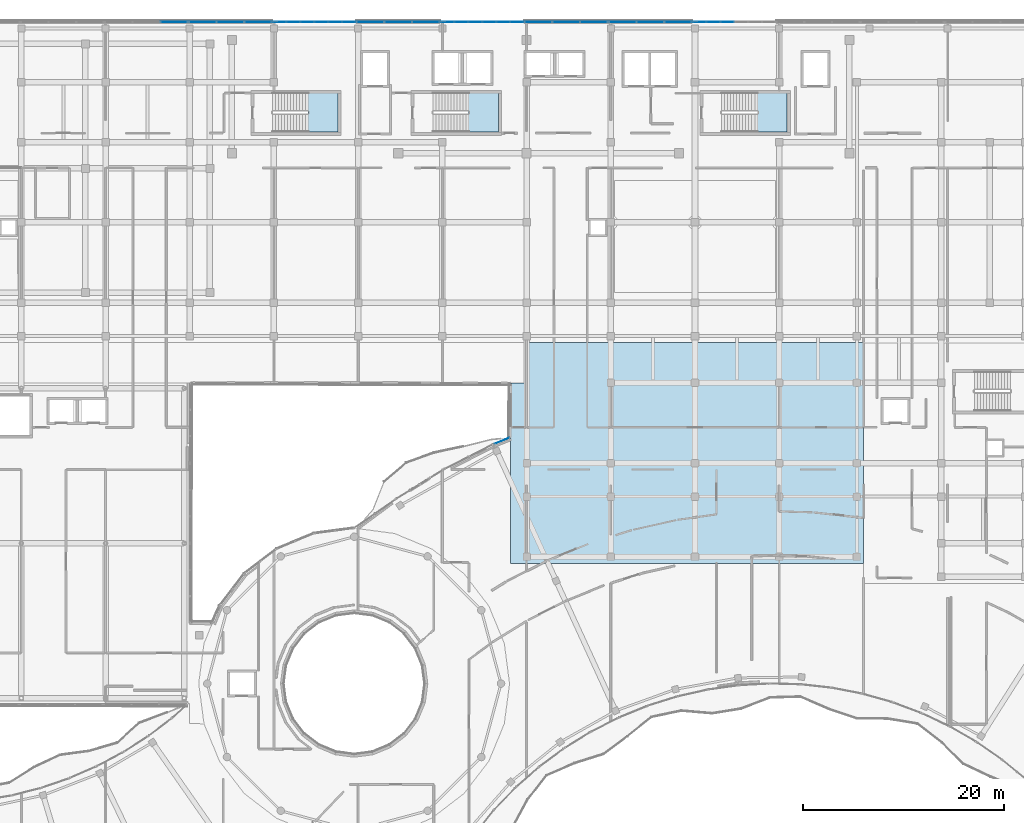
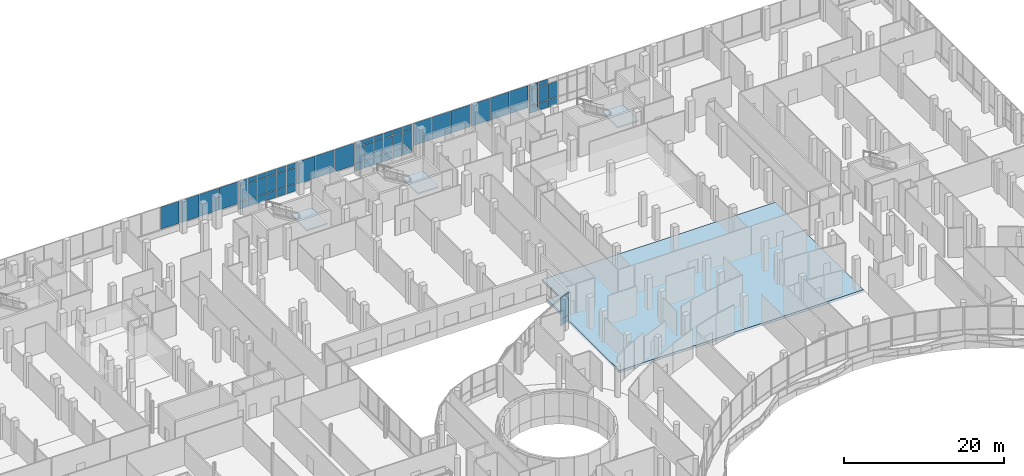
# One storey, part 125 of 155: 59 plates, 4 slabs, 12 elements without a shape of their own.
"""IFC4 building model written with IfcOpenShell, lengths in metres."""

from ifc_helpers import new_model, si_unit, direction, frame, origin, origin_2d, place, context, subcontext, project, spatial, polyline, rectangle, outline, extrude, material, layer, layer_set, type_object, element, aggregate, save


model = new_model("IFC4")

# Units and contexts
model_context = context("Model", 3, precision=1e-05, world=origin(), true_north=direction((0.0, 1.0)))
body_context = subcontext(model_context, "Body", "Model", "MODEL_VIEW")
ifc_project = project(units=[si_unit("LENGTHUNIT", "METRE"), si_unit("AREAUNIT", "SQUARE_METRE"), si_unit("VOLUMEUNIT", "CUBIC_METRE"), si_unit("PLANEANGLEUNIT", "RADIAN"), si_unit("MASSUNIT", "GRAM", prefix="KILO")], contexts=[model_context])

# Site, building, storey
site_placement = place(None, origin())
site = spatial("IfcSite", under=ifc_project, at=site_placement, CompositionType="ELEMENT")
building_placement = place(site_placement, origin())
building = spatial("IfcBuilding", under=site, at=building_placement, Name="Selatvlak General Hospital", CompositionType="ELEMENT")
storey_placement = place(building_placement, frame((0.0, 0.0, 10.199951171875)))
storey = spatial("IfcBuildingStorey", under=building, at=storey_placement, Name="L02", CompositionType="ELEMENT", Elevation=10.199951171875)

# Curtain wall, plate
ifc_material_1 = material(Name="Solar-control Low-E double glazing", Category="glass")
curtain_wall_type_1 = type_object("IfcCurtainWallType", Name="CW-CW-01", PredefinedType="USERDEFINED", material=ifc_material_1)
curtain_wall_1_placement = place(storey_placement, origin())
curtain_wall_1 = element("IfcCurtainWall", 1, at=curtain_wall_1_placement, inside=storey, type_object=curtain_wall_type_1, Name="Glazed facade curtain wall CW-L02-0250", ObjectType="UNITISED CURTAIN WALL", PredefinedType="USERDEFINED")
ifc_layer_1 = layer(ifc_material_1, 0.028076171875, Name="Solar-control Low-E double glazing", Category="glass")
ifc_layer_set_1 = layer_set([ifc_layer_1], Name="Solar-control Low-E double glazing")
plate_type = type_object("IfcPlateType", Name="CWP-01", PredefinedType="CURTAIN_PANEL", material=ifc_layer_set_1)
plate_1_placement = place(storey_placement, frame((80.025390625, 119.9990234375, 1.0048828125), z_axis=(0.0, 0.0, 1.0), x_axis=(1.0, 0.0, 0.0)))
plate_1 = element("IfcPlate", 2, at=plate_1_placement, type_object=plate_type, Name="CW-01 panel 3.1", PredefinedType="CURTAIN_PANEL", context=body_context, shape_type="SweptSolid", body=[
    extrude(rectangle(XDim=2.669189453125, YDim=0.028076171875, at=origin_2d()), origin(), (0.0, 0.0, 1.0), 3.389892578125),
])
aggregate(curtain_wall_1, [plate_1])

# Curtain wall, plates
curtain_wall_type_2 = type_object("IfcCurtainWallType", Name="CW-CW-02", PredefinedType="USERDEFINED", material=ifc_material_1)
curtain_wall_2_placement = place(storey_placement, origin())
curtain_wall_2 = element("IfcCurtainWall", 3, at=curtain_wall_2_placement, inside=storey, type_object=curtain_wall_type_2, Name="Glazed facade curtain wall CW-L02-0251", ObjectType="UNITISED CURTAIN WALL", PredefinedType="USERDEFINED")
plate_2_placement = place(storey_placement, frame((82.904541015625, 119.9990234375, 1.0048828125), z_axis=(0.0, 0.0, 1.0), x_axis=(1.0, 0.0, 0.0)))
plate_2 = element("IfcPlate", 4, at=plate_2_placement, type_object=plate_type, Name="CW-02 panel 1.1", PredefinedType="CURTAIN_PANEL", context=body_context, shape_type="SweptSolid", body=[
    extrude(rectangle(XDim=2.669189453125, YDim=0.028076171875, at=origin_2d()), origin(), (0.0, 0.0, 1.0), 3.389892578125),
])
plate_3_placement = place(storey_placement, frame((85.655029296875, 119.9990234375, 1.0048828125), z_axis=(0.0, 0.0, 1.0), x_axis=(1.0, 0.0, 0.0)))
plate_3 = element("IfcPlate", 5, at=plate_3_placement, type_object=plate_type, Name="CW-02 panel 2.1", PredefinedType="CURTAIN_PANEL", context=body_context, shape_type="SweptSolid", body=[
    extrude(rectangle(XDim=2.70166015625, YDim=0.028076171875, at=origin_2d()), origin(), (0.0, 0.0, 1.0), 3.389892578125),
])
plate_4_placement = place(storey_placement, frame((88.405517578125, 119.9990234375, 1.0048828125), z_axis=(0.0, 0.0, 1.0), x_axis=(1.0, 0.0, 0.0)))
plate_4 = element("IfcPlate", 6, at=plate_4_placement, type_object=plate_type, Name="CW-02 panel 3.1", PredefinedType="CURTAIN_PANEL", context=body_context, shape_type="SweptSolid", body=[
    extrude(rectangle(XDim=2.669189453125, YDim=0.028076171875, at=origin_2d()), origin(), (0.0, 0.0, 1.0), 3.389892578125),
])
aggregate(curtain_wall_2, [plate_2, plate_3, plate_4])

curtain_wall_type_3 = type_object("IfcCurtainWallType", Name="CW-CW-04", PredefinedType="USERDEFINED", material=ifc_material_1)
curtain_wall_3_placement = place(storey_placement, origin())
curtain_wall_3 = element("IfcCurtainWall", 7, at=curtain_wall_3_placement, inside=storey, type_object=curtain_wall_type_3, Name="Glazed facade curtain wall CW-L02-0252", ObjectType="STICK GLAZING WALL", PredefinedType="USERDEFINED")
plate_5_placement = place(storey_placement, frame((90.547119140625, 119.9990234375, 0.06494140625), z_axis=(0.0, 0.0, 1.0), x_axis=(1.0, 0.0, 0.0)))
plate_5 = element("IfcPlate", 8, at=plate_5_placement, type_object=plate_type, Name="CW-04 panel 1.1", PredefinedType="CURTAIN_PANEL", context=body_context, shape_type="SweptSolid", body=[
    extrude(rectangle(XDim=1.294189453125, YDim=0.028076171875, at=origin_2d()), origin(), (0.0, 0.0, 1.0), 1.1025390625),
])
plate_6_placement = place(storey_placement, frame((90.547119140625, 119.9990234375, 1.232421875), z_axis=(0.0, 0.0, 1.0), x_axis=(1.0, 0.0, 0.0)))
plate_6 = element("IfcPlate", 9, at=plate_6_placement, type_object=plate_type, Name="CW-04 panel 1.2", PredefinedType="CURTAIN_PANEL", context=body_context, shape_type="SweptSolid", body=[
    extrude(rectangle(XDim=1.294189453125, YDim=0.028076171875, at=origin_2d()), origin(), (0.0, 0.0, 1.0), 2.39501953125),
])
plate_7_placement = place(storey_placement, frame((90.547119140625, 119.9990234375, 3.6923828125), z_axis=(0.0, 0.0, 1.0), x_axis=(1.0, 0.0, 0.0)))
plate_7 = element("IfcPlate", 10, at=plate_7_placement, type_object=plate_type, Name="CW-04 panel 1.3", PredefinedType="CURTAIN_PANEL", context=body_context, shape_type="SweptSolid", body=[
    extrude(rectangle(XDim=1.294189453125, YDim=0.028076171875, at=origin_2d()), origin(), (0.0, 0.0, 1.0), 0.702392578125),
])
plate_8_placement = place(storey_placement, frame((91.922607421875, 119.9990234375, 0.06494140625), z_axis=(0.0, 0.0, 1.0), x_axis=(1.0, 0.0, 0.0)))
plate_8 = element("IfcPlate", 11, at=plate_8_placement, type_object=plate_type, Name="CW-04 panel 2.1", PredefinedType="CURTAIN_PANEL", context=body_context, shape_type="SweptSolid", body=[
    extrude(rectangle(XDim=1.32666015625, YDim=0.028076171875, at=origin_2d()), origin(), (0.0, 0.0, 1.0), 1.1025390625),
])
plate_9_placement = place(storey_placement, frame((91.922607421875, 119.9990234375, 1.232421875), z_axis=(0.0, 0.0, 1.0), x_axis=(1.0, 0.0, 0.0)))
plate_9 = element("IfcPlate", 12, at=plate_9_placement, type_object=plate_type, Name="CW-04 panel 2.2", PredefinedType="CURTAIN_PANEL", context=body_context, shape_type="SweptSolid", body=[
    extrude(rectangle(XDim=1.32666015625, YDim=0.028076171875, at=origin_2d()), origin(), (0.0, 0.0, 1.0), 2.39501953125),
])
plate_10_placement = place(storey_placement, frame((91.922607421875, 119.9990234375, 3.6923828125), z_axis=(0.0, 0.0, 1.0), x_axis=(1.0, 0.0, 0.0)))
plate_10 = element("IfcPlate", 13, at=plate_10_placement, type_object=plate_type, Name="CW-04 panel 2.3", PredefinedType="CURTAIN_PANEL", context=body_context, shape_type="SweptSolid", body=[
    extrude(rectangle(XDim=1.32666015625, YDim=0.028076171875, at=origin_2d()), origin(), (0.0, 0.0, 1.0), 0.702392578125),
])
plate_11_placement = place(storey_placement, frame((93.314208984375, 119.9990234375, 0.06494140625), z_axis=(0.0, 0.0, 1.0), x_axis=(1.0, 0.0, 0.0)))
plate_11 = element("IfcPlate", 14, at=plate_11_placement, type_object=plate_type, Name="CW-04 panel 3.1", PredefinedType="CURTAIN_PANEL", context=body_context, shape_type="SweptSolid", body=[
    extrude(rectangle(XDim=1.32666015625, YDim=0.028076171875, at=origin_2d()), origin(), (0.0, 0.0, 1.0), 1.1025390625),
])
plate_12_placement = place(storey_placement, frame((93.314208984375, 119.9990234375, 1.232421875), z_axis=(0.0, 0.0, 1.0), x_axis=(1.0, 0.0, 0.0)))
plate_12 = element("IfcPlate", 15, at=plate_12_placement, type_object=plate_type, Name="CW-04 panel 3.2", PredefinedType="CURTAIN_PANEL", context=body_context, shape_type="SweptSolid", body=[
    extrude(rectangle(XDim=1.32666015625, YDim=0.028076171875, at=origin_2d()), origin(), (0.0, 0.0, 1.0), 2.39501953125),
])
plate_13_placement = place(storey_placement, frame((93.314208984375, 119.9990234375, 3.6923828125), z_axis=(0.0, 0.0, 1.0), x_axis=(1.0, 0.0, 0.0)))
plate_13 = element("IfcPlate", 16, at=plate_13_placement, type_object=plate_type, Name="CW-04 panel 3.3", PredefinedType="CURTAIN_PANEL", context=body_context, shape_type="SweptSolid", body=[
    extrude(rectangle(XDim=1.32666015625, YDim=0.028076171875, at=origin_2d()), origin(), (0.0, 0.0, 1.0), 0.702392578125),
])
plate_14_placement = place(storey_placement, frame((94.705810546875, 119.9990234375, 0.06494140625), z_axis=(0.0, 0.0, 1.0), x_axis=(1.0, 0.0, 0.0)))
plate_14 = element("IfcPlate", 17, at=plate_14_placement, type_object=plate_type, Name="CW-04 panel 4.1", PredefinedType="CURTAIN_PANEL", context=body_context, shape_type="SweptSolid", body=[
    extrude(rectangle(XDim=1.32666015625, YDim=0.028076171875, at=origin_2d()), origin(), (0.0, 0.0, 1.0), 1.1025390625),
])
plate_15_placement = place(storey_placement, frame((94.705810546875, 119.9990234375, 1.232421875), z_axis=(0.0, 0.0, 1.0), x_axis=(1.0, 0.0, 0.0)))
plate_15 = element("IfcPlate", 18, at=plate_15_placement, type_object=plate_type, Name="CW-04 panel 4.2", PredefinedType="CURTAIN_PANEL", context=body_context, shape_type="SweptSolid", body=[
    extrude(rectangle(XDim=1.32666015625, YDim=0.028076171875, at=origin_2d()), origin(), (0.0, 0.0, 1.0), 2.39501953125),
])
plate_16_placement = place(storey_placement, frame((94.705810546875, 119.9990234375, 3.6923828125), z_axis=(0.0, 0.0, 1.0), x_axis=(1.0, 0.0, 0.0)))
plate_16 = element("IfcPlate", 19, at=plate_16_placement, type_object=plate_type, Name="CW-04 panel 4.3", PredefinedType="CURTAIN_PANEL", context=body_context, shape_type="SweptSolid", body=[
    extrude(rectangle(XDim=1.32666015625, YDim=0.028076171875, at=origin_2d()), origin(), (0.0, 0.0, 1.0), 0.702392578125),
])
plate_17_placement = place(storey_placement, frame((96.097412109375, 119.9990234375, 0.06494140625), z_axis=(0.0, 0.0, 1.0), x_axis=(1.0, 0.0, 0.0)))
plate_17 = element("IfcPlate", 20, at=plate_17_placement, type_object=plate_type, Name="CW-04 panel 5.1", PredefinedType="CURTAIN_PANEL", context=body_context, shape_type="SweptSolid", body=[
    extrude(rectangle(XDim=1.32666015625, YDim=0.028076171875, at=origin_2d()), origin(), (0.0, 0.0, 1.0), 1.1025390625),
])
plate_18_placement = place(storey_placement, frame((96.097412109375, 119.9990234375, 1.232421875), z_axis=(0.0, 0.0, 1.0), x_axis=(1.0, 0.0, 0.0)))
plate_18 = element("IfcPlate", 21, at=plate_18_placement, type_object=plate_type, Name="CW-04 panel 5.2", PredefinedType="CURTAIN_PANEL", context=body_context, shape_type="SweptSolid", body=[
    extrude(rectangle(XDim=1.32666015625, YDim=0.028076171875, at=origin_2d()), origin(), (0.0, 0.0, 1.0), 2.39501953125),
])
plate_19_placement = place(storey_placement, frame((96.097412109375, 119.9990234375, 3.6923828125), z_axis=(0.0, 0.0, 1.0), x_axis=(1.0, 0.0, 0.0)))
plate_19 = element("IfcPlate", 22, at=plate_19_placement, type_object=plate_type, Name="CW-04 panel 5.3", PredefinedType="CURTAIN_PANEL", context=body_context, shape_type="SweptSolid", body=[
    extrude(rectangle(XDim=1.32666015625, YDim=0.028076171875, at=origin_2d()), origin(), (0.0, 0.0, 1.0), 0.702392578125),
])
plate_20_placement = place(storey_placement, frame((97.472900390625, 119.9990234375, 0.06494140625), z_axis=(0.0, 0.0, 1.0), x_axis=(1.0, 0.0, 0.0)))
plate_20 = element("IfcPlate", 23, at=plate_20_placement, type_object=plate_type, Name="CW-04 panel 6.1", PredefinedType="CURTAIN_PANEL", context=body_context, shape_type="SweptSolid", body=[
    extrude(rectangle(XDim=1.294189453125, YDim=0.028076171875, at=origin_2d()), origin(), (0.0, 0.0, 1.0), 1.1025390625),
])
plate_21_placement = place(storey_placement, frame((97.472900390625, 119.9990234375, 1.232421875), z_axis=(0.0, 0.0, 1.0), x_axis=(1.0, 0.0, 0.0)))
plate_21 = element("IfcPlate", 24, at=plate_21_placement, type_object=plate_type, Name="CW-04 panel 6.2", PredefinedType="CURTAIN_PANEL", context=body_context, shape_type="SweptSolid", body=[
    extrude(rectangle(XDim=1.294189453125, YDim=0.028076171875, at=origin_2d()), origin(), (0.0, 0.0, 1.0), 2.39501953125),
])
plate_22_placement = place(storey_placement, frame((97.472900390625, 119.9990234375, 3.6923828125), z_axis=(0.0, 0.0, 1.0), x_axis=(1.0, 0.0, 0.0)))
plate_22 = element("IfcPlate", 25, at=plate_22_placement, type_object=plate_type, Name="CW-04 panel 6.3", PredefinedType="CURTAIN_PANEL", context=body_context, shape_type="SweptSolid", body=[
    extrude(rectangle(XDim=1.294189453125, YDim=0.028076171875, at=origin_2d()), origin(), (0.0, 0.0, 1.0), 0.702392578125),
])
aggregate(curtain_wall_3, [plate_5, plate_6, plate_7, plate_8, plate_9, plate_10, plate_11, plate_12, plate_13, plate_14, plate_15, plate_16, plate_17, plate_18, plate_19, plate_20, plate_21, plate_22])

curtain_wall_4_placement = place(storey_placement, origin())
curtain_wall_4 = element("IfcCurtainWall", 26, at=curtain_wall_4_placement, inside=storey, type_object=curtain_wall_type_2, Name="Glazed facade curtain wall CW-L02-0253", ObjectType="UNITISED CURTAIN WALL", PredefinedType="USERDEFINED")
plate_23_placement = place(storey_placement, frame((99.622802734375, 119.999267578125, 1.0048828125), z_axis=(0.0, 0.0, 1.0), x_axis=(0.999999992827, 0.000119774825, 0.0)))
plate_23 = element("IfcPlate", 27, at=plate_23_placement, type_object=plate_type, Name="CW-02 panel 1.1", PredefinedType="CURTAIN_PANEL", context=body_context, shape_type="SweptSolid", body=[
    extrude(rectangle(XDim=2.685546875, YDim=0.028076171875, at=origin_2d()), origin(), (0.0, 0.0, 1.0), 3.389892578125),
])
plate_24_placement = place(storey_placement, frame((102.389404296875, 119.99951171875, 1.0048828125), z_axis=(0.0, 0.0, 1.0), x_axis=(0.999999992827, 0.000119774825, 0.0)))
plate_24 = element("IfcPlate", 28, at=plate_24_placement, type_object=plate_type, Name="CW-02 panel 2.1", PredefinedType="CURTAIN_PANEL", context=body_context, shape_type="SweptSolid", body=[
    extrude(rectangle(XDim=2.718017578125, YDim=0.028076171875, at=origin_2d()), origin(), (0.0, 0.0, 1.0), 3.389892578125),
])
plate_25_placement = place(storey_placement, frame((105.15625, 119.999755859375, 1.0048828125), z_axis=(0.0, 0.0, 1.0), x_axis=(0.999999992827, 0.000119774825, 0.0)))
plate_25 = element("IfcPlate", 29, at=plate_25_placement, type_object=plate_type, Name="CW-02 panel 3.1", PredefinedType="CURTAIN_PANEL", context=body_context, shape_type="SweptSolid", body=[
    extrude(rectangle(XDim=2.685546875, YDim=0.028076171875, at=origin_2d()), origin(), (0.0, 0.0, 1.0), 3.389892578125),
])
aggregate(curtain_wall_4, [plate_23, plate_24, plate_25])

curtain_wall_5_placement = place(storey_placement, origin())
curtain_wall_5 = element("IfcCurtainWall", 30, at=curtain_wall_5_placement, inside=storey, type_object=curtain_wall_type_3, Name="Glazed facade curtain wall CW-L02-0254", ObjectType="STICK GLAZING WALL", PredefinedType="USERDEFINED")
plate_26_placement = place(storey_placement, frame((107.30615234375, 120.0, 0.06494140625), z_axis=(0.0, 0.0, 1.0), x_axis=(1.0, 0.0, 0.0)))
plate_26 = element("IfcPlate", 31, at=plate_26_placement, type_object=plate_type, Name="CW-04 panel 1.1", PredefinedType="CURTAIN_PANEL", context=body_context, shape_type="SweptSolid", body=[
    extrude(rectangle(XDim=1.294189453125, YDim=0.028076171875, at=origin_2d()), origin(), (0.0, 0.0, 1.0), 1.1025390625),
])
plate_27_placement = place(storey_placement, frame((107.30615234375, 120.0, 1.232421875), z_axis=(0.0, 0.0, 1.0), x_axis=(1.0, 0.0, 0.0)))
plate_27 = element("IfcPlate", 32, at=plate_27_placement, type_object=plate_type, Name="CW-04 panel 1.2", PredefinedType="CURTAIN_PANEL", context=body_context, shape_type="SweptSolid", body=[
    extrude(rectangle(XDim=1.294189453125, YDim=0.028076171875, at=origin_2d()), origin(), (0.0, 0.0, 1.0), 2.39501953125),
])
plate_28_placement = place(storey_placement, frame((107.30615234375, 120.0, 3.6923828125), z_axis=(0.0, 0.0, 1.0), x_axis=(1.0, 0.0, 0.0)))
plate_28 = element("IfcPlate", 33, at=plate_28_placement, type_object=plate_type, Name="CW-04 panel 1.3", PredefinedType="CURTAIN_PANEL", context=body_context, shape_type="SweptSolid", body=[
    extrude(rectangle(XDim=1.294189453125, YDim=0.028076171875, at=origin_2d()), origin(), (0.0, 0.0, 1.0), 0.702392578125),
])
plate_29_placement = place(storey_placement, frame((108.681396484375, 120.0, 0.06494140625), z_axis=(0.0, 0.0, 1.0), x_axis=(1.0, 0.0, 0.0)))
plate_29 = element("IfcPlate", 34, at=plate_29_placement, type_object=plate_type, Name="CW-04 panel 2.1", PredefinedType="CURTAIN_PANEL", context=body_context, shape_type="SweptSolid", body=[
    extrude(rectangle(XDim=1.32666015625, YDim=0.028076171875, at=origin_2d()), origin(), (0.0, 0.0, 1.0), 1.1025390625),
])
plate_30_placement = place(storey_placement, frame((108.681396484375, 120.0, 1.232421875), z_axis=(0.0, 0.0, 1.0), x_axis=(1.0, 0.0, 0.0)))
plate_30 = element("IfcPlate", 35, at=plate_30_placement, type_object=plate_type, Name="CW-04 panel 2.2", PredefinedType="CURTAIN_PANEL", context=body_context, shape_type="SweptSolid", body=[
    extrude(rectangle(XDim=1.32666015625, YDim=0.028076171875, at=origin_2d()), origin(), (0.0, 0.0, 1.0), 2.39501953125),
])
plate_31_placement = place(storey_placement, frame((108.681396484375, 120.0, 3.6923828125), z_axis=(0.0, 0.0, 1.0), x_axis=(1.0, 0.0, 0.0)))
plate_31 = element("IfcPlate", 36, at=plate_31_placement, type_object=plate_type, Name="CW-04 panel 2.3", PredefinedType="CURTAIN_PANEL", context=body_context, shape_type="SweptSolid", body=[
    extrude(rectangle(XDim=1.32666015625, YDim=0.028076171875, at=origin_2d()), origin(), (0.0, 0.0, 1.0), 0.702392578125),
])
plate_32_placement = place(storey_placement, frame((110.0732421875, 120.0, 0.06494140625), z_axis=(0.0, 0.0, 1.0), x_axis=(1.0, 0.0, 0.0)))
plate_32 = element("IfcPlate", 37, at=plate_32_placement, type_object=plate_type, Name="CW-04 panel 3.1", PredefinedType="CURTAIN_PANEL", context=body_context, shape_type="SweptSolid", body=[
    extrude(rectangle(XDim=1.32666015625, YDim=0.028076171875, at=origin_2d()), origin(), (0.0, 0.0, 1.0), 1.1025390625),
])
plate_33_placement = place(storey_placement, frame((110.0732421875, 120.0, 1.232421875), z_axis=(0.0, 0.0, 1.0), x_axis=(1.0, 0.0, 0.0)))
plate_33 = element("IfcPlate", 38, at=plate_33_placement, type_object=plate_type, Name="CW-04 panel 3.2", PredefinedType="CURTAIN_PANEL", context=body_context, shape_type="SweptSolid", body=[
    extrude(rectangle(XDim=1.32666015625, YDim=0.028076171875, at=origin_2d()), origin(), (0.0, 0.0, 1.0), 2.39501953125),
])
plate_34_placement = place(storey_placement, frame((110.0732421875, 120.0, 3.6923828125), z_axis=(0.0, 0.0, 1.0), x_axis=(1.0, 0.0, 0.0)))
plate_34 = element("IfcPlate", 39, at=plate_34_placement, type_object=plate_type, Name="CW-04 panel 3.3", PredefinedType="CURTAIN_PANEL", context=body_context, shape_type="SweptSolid", body=[
    extrude(rectangle(XDim=1.32666015625, YDim=0.028076171875, at=origin_2d()), origin(), (0.0, 0.0, 1.0), 0.702392578125),
])
plate_35_placement = place(storey_placement, frame((111.46484375, 120.0, 0.06494140625), z_axis=(0.0, 0.0, 1.0), x_axis=(1.0, 0.0, 0.0)))
plate_35 = element("IfcPlate", 40, at=plate_35_placement, type_object=plate_type, Name="CW-04 panel 4.1", PredefinedType="CURTAIN_PANEL", context=body_context, shape_type="SweptSolid", body=[
    extrude(rectangle(XDim=1.32666015625, YDim=0.028076171875, at=origin_2d()), origin(), (0.0, 0.0, 1.0), 1.1025390625),
])
plate_36_placement = place(storey_placement, frame((111.46484375, 120.0, 1.232421875), z_axis=(0.0, 0.0, 1.0), x_axis=(1.0, 0.0, 0.0)))
plate_36 = element("IfcPlate", 41, at=plate_36_placement, type_object=plate_type, Name="CW-04 panel 4.2", PredefinedType="CURTAIN_PANEL", context=body_context, shape_type="SweptSolid", body=[
    extrude(rectangle(XDim=1.32666015625, YDim=0.028076171875, at=origin_2d()), origin(), (0.0, 0.0, 1.0), 2.39501953125),
])
plate_37_placement = place(storey_placement, frame((111.46484375, 120.0, 3.6923828125), z_axis=(0.0, 0.0, 1.0), x_axis=(1.0, 0.0, 0.0)))
plate_37 = element("IfcPlate", 42, at=plate_37_placement, type_object=plate_type, Name="CW-04 panel 4.3", PredefinedType="CURTAIN_PANEL", context=body_context, shape_type="SweptSolid", body=[
    extrude(rectangle(XDim=1.32666015625, YDim=0.028076171875, at=origin_2d()), origin(), (0.0, 0.0, 1.0), 0.702392578125),
])
plate_38_placement = place(storey_placement, frame((112.8564453125, 120.0, 0.06494140625), z_axis=(0.0, 0.0, 1.0), x_axis=(1.0, 0.0, 0.0)))
plate_38 = element("IfcPlate", 43, at=plate_38_placement, type_object=plate_type, Name="CW-04 panel 5.1", PredefinedType="CURTAIN_PANEL", context=body_context, shape_type="SweptSolid", body=[
    extrude(rectangle(XDim=1.32666015625, YDim=0.028076171875, at=origin_2d()), origin(), (0.0, 0.0, 1.0), 1.1025390625),
])
plate_39_placement = place(storey_placement, frame((112.8564453125, 120.0, 1.232421875), z_axis=(0.0, 0.0, 1.0), x_axis=(1.0, 0.0, 0.0)))
plate_39 = element("IfcPlate", 44, at=plate_39_placement, type_object=plate_type, Name="CW-04 panel 5.2", PredefinedType="CURTAIN_PANEL", context=body_context, shape_type="SweptSolid", body=[
    extrude(rectangle(XDim=1.32666015625, YDim=0.028076171875, at=origin_2d()), origin(), (0.0, 0.0, 1.0), 2.39501953125),
])
plate_40_placement = place(storey_placement, frame((112.8564453125, 120.0, 3.6923828125), z_axis=(0.0, 0.0, 1.0), x_axis=(1.0, 0.0, 0.0)))
plate_40 = element("IfcPlate", 45, at=plate_40_placement, type_object=plate_type, Name="CW-04 panel 5.3", PredefinedType="CURTAIN_PANEL", context=body_context, shape_type="SweptSolid", body=[
    extrude(rectangle(XDim=1.32666015625, YDim=0.028076171875, at=origin_2d()), origin(), (0.0, 0.0, 1.0), 0.702392578125),
])
plate_41_placement = place(storey_placement, frame((114.23193359375, 120.0, 0.06494140625), z_axis=(0.0, 0.0, 1.0), x_axis=(1.0, 0.0, 0.0)))
plate_41 = element("IfcPlate", 46, at=plate_41_placement, type_object=plate_type, Name="CW-04 panel 6.1", PredefinedType="CURTAIN_PANEL", context=body_context, shape_type="SweptSolid", body=[
    extrude(rectangle(XDim=1.294189453125, YDim=0.028076171875, at=origin_2d()), origin(), (0.0, 0.0, 1.0), 1.1025390625),
])
plate_42_placement = place(storey_placement, frame((114.23193359375, 120.0, 1.232421875), z_axis=(0.0, 0.0, 1.0), x_axis=(1.0, 0.0, 0.0)))
plate_42 = element("IfcPlate", 47, at=plate_42_placement, type_object=plate_type, Name="CW-04 panel 6.2", PredefinedType="CURTAIN_PANEL", context=body_context, shape_type="SweptSolid", body=[
    extrude(rectangle(XDim=1.294189453125, YDim=0.028076171875, at=origin_2d()), origin(), (0.0, 0.0, 1.0), 2.39501953125),
])
plate_43_placement = place(storey_placement, frame((114.23193359375, 120.0, 3.6923828125), z_axis=(0.0, 0.0, 1.0), x_axis=(1.0, 0.0, 0.0)))
plate_43 = element("IfcPlate", 48, at=plate_43_placement, type_object=plate_type, Name="CW-04 panel 6.3", PredefinedType="CURTAIN_PANEL", context=body_context, shape_type="SweptSolid", body=[
    extrude(rectangle(XDim=1.294189453125, YDim=0.028076171875, at=origin_2d()), origin(), (0.0, 0.0, 1.0), 0.702392578125),
])
aggregate(curtain_wall_5, [plate_26, plate_27, plate_28, plate_29, plate_30, plate_31, plate_32, plate_33, plate_34, plate_35, plate_36, plate_37, plate_38, plate_39, plate_40, plate_41, plate_42, plate_43])

curtain_wall_6_placement = place(storey_placement, origin())
curtain_wall_6 = element("IfcCurtainWall", 49, at=curtain_wall_6_placement, inside=storey, type_object=curtain_wall_type_2, Name="Glazed facade curtain wall CW-L02-0255", ObjectType="UNITISED CURTAIN WALL", PredefinedType="USERDEFINED")
plate_44_placement = place(storey_placement, frame((116.3818359375, 120.0, 1.0048828125), z_axis=(0.0, 0.0, 1.0), x_axis=(1.0, 0.0, 0.0)))
plate_44 = element("IfcPlate", 50, at=plate_44_placement, type_object=plate_type, Name="CW-02 panel 1.1", PredefinedType="CURTAIN_PANEL", context=body_context, shape_type="SweptSolid", body=[
    extrude(rectangle(XDim=2.685791015625, YDim=0.028076171875, at=origin_2d()), origin(), (0.0, 0.0, 1.0), 3.389892578125),
])
plate_45_placement = place(storey_placement, frame((119.14892578125, 120.0, 1.0048828125), z_axis=(0.0, 0.0, 1.0), x_axis=(1.0, 0.0, 0.0)))
plate_45 = element("IfcPlate", 51, at=plate_45_placement, type_object=plate_type, Name="CW-02 panel 2.1", PredefinedType="CURTAIN_PANEL", context=body_context, shape_type="SweptSolid", body=[
    extrude(rectangle(XDim=2.71826171875, YDim=0.028076171875, at=origin_2d()), origin(), (0.0, 0.0, 1.0), 3.389892578125),
])
plate_46_placement = place(storey_placement, frame((121.916015625, 120.0, 1.0048828125), z_axis=(0.0, 0.0, 1.0), x_axis=(1.0, 0.0, 0.0)))
plate_46 = element("IfcPlate", 52, at=plate_46_placement, type_object=plate_type, Name="CW-02 panel 3.1", PredefinedType="CURTAIN_PANEL", context=body_context, shape_type="SweptSolid", body=[
    extrude(rectangle(XDim=2.685791015625, YDim=0.028076171875, at=origin_2d()), origin(), (0.0, 0.0, 1.0), 3.389892578125),
])
aggregate(curtain_wall_6, [plate_44, plate_45, plate_46])

curtain_wall_7_placement = place(storey_placement, origin())
curtain_wall_7 = element("IfcCurtainWall", 53, at=curtain_wall_7_placement, inside=storey, type_object=curtain_wall_type_1, Name="Glazed facade curtain wall CW-L02-0256", ObjectType="UNITISED CURTAIN WALL", PredefinedType="USERDEFINED")
plate_47_placement = place(storey_placement, frame((124.803466796875, 120.0, 1.0048828125), z_axis=(0.0, 0.0, 1.0), x_axis=(1.0, 0.0, 0.0)))
plate_47 = element("IfcPlate", 54, at=plate_47_placement, type_object=plate_type, Name="CW-01 panel 1.1", PredefinedType="CURTAIN_PANEL", context=body_context, shape_type="SweptSolid", body=[
    extrude(rectangle(XDim=2.669189453125, YDim=0.028076171875, at=origin_2d()), origin(), (0.0, 0.0, 1.0), 3.389892578125),
])
plate_48_placement = place(storey_placement, frame((127.553955078125, 120.0, 1.0048828125), z_axis=(0.0, 0.0, 1.0), x_axis=(1.0, 0.0, 0.0)))
plate_48 = element("IfcPlate", 55, at=plate_48_placement, type_object=plate_type, Name="CW-01 panel 2.1", PredefinedType="CURTAIN_PANEL", context=body_context, shape_type="SweptSolid", body=[
    extrude(rectangle(XDim=2.70166015625, YDim=0.028076171875, at=origin_2d()), origin(), (0.0, 0.0, 1.0), 3.389892578125),
])
plate_49_placement = place(storey_placement, frame((130.304443359375, 120.0, 1.0048828125), z_axis=(0.0, 0.0, 1.0), x_axis=(1.0, 0.0, 0.0)))
plate_49 = element("IfcPlate", 56, at=plate_49_placement, type_object=plate_type, Name="CW-01 panel 3.1", PredefinedType="CURTAIN_PANEL", context=body_context, shape_type="SweptSolid", body=[
    extrude(rectangle(XDim=2.669189453125, YDim=0.028076171875, at=origin_2d()), origin(), (0.0, 0.0, 1.0), 3.389892578125),
])
aggregate(curtain_wall_7, [plate_47, plate_48, plate_49])

curtain_wall_8_placement = place(storey_placement, origin())
curtain_wall_8 = element("IfcCurtainWall", 57, at=curtain_wall_8_placement, inside=storey, type_object=curtain_wall_type_3, Name="Glazed facade curtain wall CW-L02-0257", ObjectType="STICK GLAZING WALL", PredefinedType="USERDEFINED")
plate_50_placement = place(storey_placement, frame((132.446044921875, 120.0, 0.06494140625), z_axis=(0.0, 0.0, 1.0), x_axis=(1.0, 0.0, 0.0)))
plate_50 = element("IfcPlate", 58, at=plate_50_placement, type_object=plate_type, Name="CW-04 panel 1.1", PredefinedType="CURTAIN_PANEL", context=body_context, shape_type="SweptSolid", body=[
    extrude(rectangle(XDim=1.294189453125, YDim=0.028076171875, at=origin_2d()), origin(), (0.0, 0.0, 1.0), 1.1025390625),
])
plate_51_placement = place(storey_placement, frame((132.446044921875, 120.0, 1.232421875), z_axis=(0.0, 0.0, 1.0), x_axis=(1.0, 0.0, 0.0)))
plate_51 = element("IfcPlate", 59, at=plate_51_placement, type_object=plate_type, Name="CW-04 panel 1.2", PredefinedType="CURTAIN_PANEL", context=body_context, shape_type="SweptSolid", body=[
    extrude(rectangle(XDim=1.294189453125, YDim=0.028076171875, at=origin_2d()), origin(), (0.0, 0.0, 1.0), 2.39501953125),
])
plate_52_placement = place(storey_placement, frame((132.446044921875, 120.0, 3.6923828125), z_axis=(0.0, 0.0, 1.0), x_axis=(1.0, 0.0, 0.0)))
plate_52 = element("IfcPlate", 60, at=plate_52_placement, type_object=plate_type, Name="CW-04 panel 1.3", PredefinedType="CURTAIN_PANEL", context=body_context, shape_type="SweptSolid", body=[
    extrude(rectangle(XDim=1.294189453125, YDim=0.028076171875, at=origin_2d()), origin(), (0.0, 0.0, 1.0), 0.702392578125),
])
plate_53_placement = place(storey_placement, frame((133.821533203125, 120.0, 0.06494140625), z_axis=(0.0, 0.0, 1.0), x_axis=(1.0, 0.0, 0.0)))
plate_53 = element("IfcPlate", 61, at=plate_53_placement, type_object=plate_type, Name="CW-04 panel 2.1", PredefinedType="CURTAIN_PANEL", context=body_context, shape_type="SweptSolid", body=[
    extrude(rectangle(XDim=1.32666015625, YDim=0.028076171875, at=origin_2d()), origin(), (0.0, 0.0, 1.0), 1.1025390625),
])
plate_54_placement = place(storey_placement, frame((133.821533203125, 120.0, 1.232421875), z_axis=(0.0, 0.0, 1.0), x_axis=(1.0, 0.0, 0.0)))
plate_54 = element("IfcPlate", 62, at=plate_54_placement, type_object=plate_type, Name="CW-04 panel 2.2", PredefinedType="CURTAIN_PANEL", context=body_context, shape_type="SweptSolid", body=[
    extrude(rectangle(XDim=1.32666015625, YDim=0.028076171875, at=origin_2d()), origin(), (0.0, 0.0, 1.0), 2.39501953125),
])
plate_55_placement = place(storey_placement, frame((133.821533203125, 120.0, 3.6923828125), z_axis=(0.0, 0.0, 1.0), x_axis=(1.0, 0.0, 0.0)))
plate_55 = element("IfcPlate", 63, at=plate_55_placement, type_object=plate_type, Name="CW-04 panel 2.3", PredefinedType="CURTAIN_PANEL", context=body_context, shape_type="SweptSolid", body=[
    extrude(rectangle(XDim=1.32666015625, YDim=0.028076171875, at=origin_2d()), origin(), (0.0, 0.0, 1.0), 0.702392578125),
])
plate_56_placement = place(storey_placement, frame((135.213134765625, 120.0, 0.06494140625), z_axis=(0.0, 0.0, 1.0), x_axis=(1.0, 0.0, 0.0)))
plate_56 = element("IfcPlate", 64, at=plate_56_placement, type_object=plate_type, Name="CW-04 panel 3.1", PredefinedType="CURTAIN_PANEL", context=body_context, shape_type="SweptSolid", body=[
    extrude(rectangle(XDim=1.32666015625, YDim=0.028076171875, at=origin_2d()), origin(), (0.0, 0.0, 1.0), 1.1025390625),
])
plate_57_placement = place(storey_placement, frame((135.213134765625, 120.0, 1.232421875), z_axis=(0.0, 0.0, 1.0), x_axis=(1.0, 0.0, 0.0)))
plate_57 = element("IfcPlate", 65, at=plate_57_placement, type_object=plate_type, Name="CW-04 panel 3.2", PredefinedType="CURTAIN_PANEL", context=body_context, shape_type="SweptSolid", body=[
    extrude(rectangle(XDim=1.32666015625, YDim=0.028076171875, at=origin_2d()), origin(), (0.0, 0.0, 1.0), 2.39501953125),
])
aggregate(curtain_wall_8, [plate_50, plate_51, plate_52, plate_53, plate_54, plate_55, plate_56, plate_57])

curtain_wall_9_placement = place(storey_placement, origin())
curtain_wall_9 = element("IfcCurtainWall", 66, at=curtain_wall_9_placement, inside=storey, type_object=curtain_wall_type_2, Name="Glazed facade curtain wall CW-L02-0356", ObjectType="UNITISED CURTAIN WALL", PredefinedType="USERDEFINED")
plate_58_placement = place(storey_placement, frame((112.759033203125, 78.223388671875, 0.06494140625), z_axis=(0.0, 0.0, 1.0), x_axis=(0.925826722383, 0.377948250587, 0.0)))
plate_58 = element("IfcPlate", 67, at=plate_58_placement, type_object=plate_type, Name="CW-02 panel 1.1", PredefinedType="CURTAIN_PANEL", context=body_context, shape_type="SweptSolid", body=[
    extrude(rectangle(XDim=1.57666015625, YDim=0.028076171875, at=origin_2d()), origin(), (0.0, 0.0, 1.0), 0.8525390625),
])
plate_59_placement = place(storey_placement, frame((112.759033203125, 78.223388671875, 0.982421875), z_axis=(0.0, 0.0, 1.0), x_axis=(0.925826722383, 0.377948250587, 0.0)))
plate_59 = element("IfcPlate", 68, at=plate_59_placement, type_object=plate_type, Name="CW-02 panel 1.2", PredefinedType="CURTAIN_PANEL", context=body_context, shape_type="SweptSolid", body=[
    extrude(rectangle(XDim=1.57666015625, YDim=0.028076171875, at=origin_2d()), origin(), (0.0, 0.0, 1.0), 3.41259765625),
])
aggregate(curtain_wall_9, [plate_58, plate_59])

# Stair, slab
ifc_material_2 = material(Name="Precast concrete C40/50", Category="concrete")
stair_type_1 = type_object("IfcStairType", Name="STAIR-ST-02", PredefinedType="HALF_TURN_STAIR", material=ifc_material_2)
stair_1_placement = place(storey_placement, origin())
stair_1 = element("IfcStair", 69, at=stair_1_placement, inside=storey, type_object=stair_type_1, Name="L02 Protected exit stair ST-02", PredefinedType="HALF_TURN_STAIR")
ifc_material_3 = material(Name="Concrete C40/50", Category="concrete")
ifc_layer_2 = layer(ifc_material_3, 0.199951171875, Name="Concrete C40/50", Category="concrete")
ifc_layer_set_2 = layer_set([ifc_layer_2], Name="Concrete C40/50")
slab_type_1 = type_object("IfcSlabType", Name="SLAB-LND1", PredefinedType="LANDING", material=ifc_layer_set_2)
slab_1_placement = place(storey_placement, frame((0.0, 0.0, 2.199951171875)))
slab_1 = element("IfcSlab", 70, at=slab_1_placement, type_object=slab_type_1, Name="ST-02 landing 1", PredefinedType="LANDING", context=body_context, shape_type="SweptSolid", body=[
    extrude(outline(polyline([(93.4150390625, 109.0), (96.39990234375, 109.0), (96.39990234375, 112.93994140625), (93.4150390625, 112.93994140625), (93.4150390625, 109.0)])), origin(), (0.0, 0.0, 1.0), 0.2001953125),
])
aggregate(stair_1, [slab_1])

stair_type_2 = type_object("IfcStairType", Name="STAIR-ST-03", PredefinedType="HALF_TURN_STAIR", material=ifc_material_2)
stair_2_placement = place(storey_placement, origin())
stair_2 = element("IfcStair", 71, at=stair_2_placement, inside=storey, type_object=stair_type_2, Name="L02 Protected exit stair ST-03", PredefinedType="HALF_TURN_STAIR")
slab_2_placement = place(storey_placement, frame((0.0, 0.0, 2.199951171875)))
slab_2 = element("IfcSlab", 72, at=slab_2_placement, type_object=slab_type_1, Name="ST-03 landing 1", PredefinedType="LANDING", context=body_context, shape_type="SweptSolid", body=[
    extrude(outline(polyline([(109.4150390625, 109.0), (112.39990234375, 109.0), (112.39990234375, 112.93994140625), (109.4150390625, 112.93994140625), (109.4150390625, 109.0)])), origin(), (0.0, 0.0, 1.0), 0.2001953125),
])
aggregate(stair_2, [slab_2])

stair_type_3 = type_object("IfcStairType", Name="STAIR-ST-04", PredefinedType="HALF_TURN_STAIR", material=ifc_material_2)
stair_3_placement = place(storey_placement, origin())
stair_3 = element("IfcStair", 73, at=stair_3_placement, inside=storey, type_object=stair_type_3, Name="L02 Protected exit stair ST-04", PredefinedType="HALF_TURN_STAIR")
slab_3_placement = place(storey_placement, frame((0.0, 0.0, 2.199951171875)))
slab_3 = element("IfcSlab", 74, at=slab_3_placement, type_object=slab_type_1, Name="ST-04 landing 1", PredefinedType="LANDING", context=body_context, shape_type="SweptSolid", body=[
    extrude(outline(polyline([(138.215087890625, 109.0), (141.199951171875, 109.0), (141.199951171875, 112.93994140625), (138.215087890625, 112.93994140625), (138.215087890625, 109.0)])), origin(), (0.0, 0.0, 1.0), 0.2001953125),
])
aggregate(stair_3, [slab_3])

# Slab
ifc_layer_3 = layer(ifc_material_3, 0.35498046875, Name="Concrete C40/50", Category="concrete")
ifc_layer_set_3 = layer_set([ifc_layer_3], Name="Concrete C40/50")
slab_type_2 = type_object("IfcSlabType", Name="SLAB-SL-FL2", PredefinedType="FLOOR", material=ifc_layer_set_3)
slab_4_placement = place(storey_placement, frame((0.0, 0.0, -0.35498046875)))
element("IfcSlab", 75, at=slab_4_placement, inside=storey, type_object=slab_type_2, Name="L02 V4 structural slab", PredefinedType="FLOOR", context=body_context, shape_type="SweptSolid", body=[
    extrude(outline(polyline([(113.60009765625, 83.991943359375), (115.199951171875, 83.991943359375), (115.2080078125, 88.0), (148.800048828125, 88.0), (148.800048828125, 66.0), (113.60009765625, 66.0), (113.60009765625, 83.991943359375)])), origin(), (0.0, 0.0, 1.0), 0.35498046875),
])

save(model, "model.ifc")
